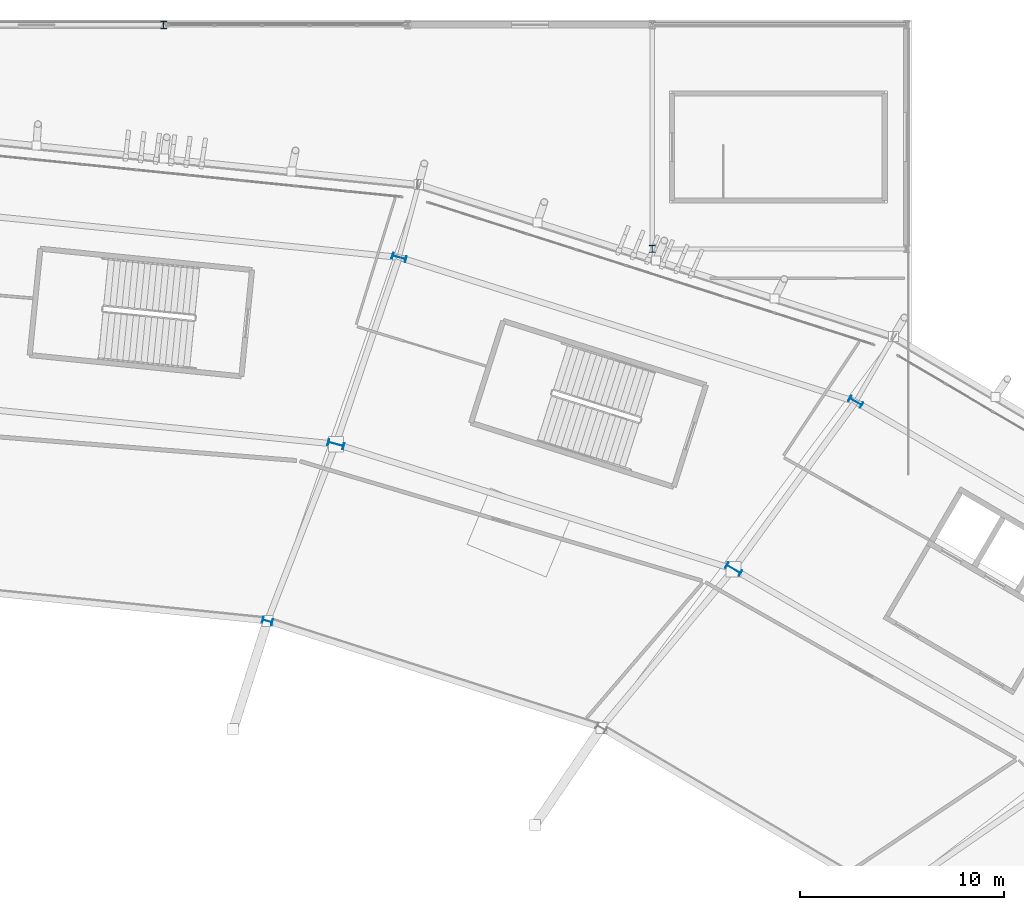
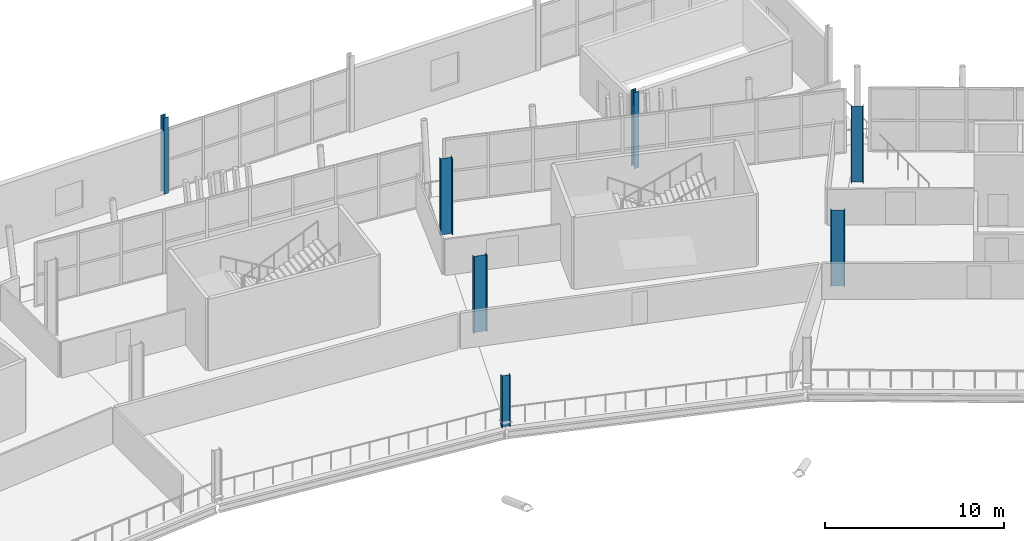
# One storey, part 18 of 168: 7 columns.
"""IFC4 building model written with IfcOpenShell, lengths in metres."""

from ifc_helpers import new_model, si_unit, direction, frame, origin, origin_2d, place, context, subcontext, project, spatial, i_section, extrude, material, material_profile, profile_set, type_object, element, save


model = new_model("IFC4")

# Units and contexts
model_context = context("Model", 3, precision=1e-05, world=origin(), true_north=direction((0.0, 1.0)))
body_context = subcontext(model_context, "Body", "Model", "MODEL_VIEW")
ifc_project = project(units=[si_unit("LENGTHUNIT", "METRE"), si_unit("AREAUNIT", "SQUARE_METRE"), si_unit("VOLUMEUNIT", "CUBIC_METRE"), si_unit("PLANEANGLEUNIT", "RADIAN"), si_unit("MASSUNIT", "GRAM", prefix="KILO")], contexts=[model_context])

# Site, building, storey
site_placement = place(None, origin())
site = spatial("IfcSite", under=ifc_project, at=site_placement, CompositionType="ELEMENT")
building_placement = place(site_placement, origin())
building = spatial("IfcBuilding", under=site, at=building_placement, Name="Zlatoyarsky Gate Stadium", CompositionType="ELEMENT")
storey_placement = place(building_placement, frame((0.0, 0.0, 15.60009765625)))
storey = spatial("IfcBuildingStorey", under=building, at=storey_placement, Name="L03", CompositionType="ELEMENT", Elevation=15.60009765625)

# Columns
ifc_material = material(Name="Steel S355", Category="steel")
ifc_material_profile_1 = material_profile(ifc_material, i_section(OverallWidth=0.300048828125, OverallDepth=0.360107421875, WebThickness=0.012451171875, FlangeThickness=0.0224609375, FilletRadius=0.027099609375, at=origin_2d()), Name="HEB 360")
ifc_profile_set_1 = profile_set([ifc_material_profile_1], Name="Steel S355")
column_type_1 = type_object("IfcColumnType", Name="STEEL COLUMN HEB 360", PredefinedType="COLUMN", material=ifc_profile_set_1)
for number, where, z_axis, x_axis, name in (
    (1, (123.5, 160.0, 0.0), (0.0, 0.0, 1.0), (1.0, 0.0, 0.0), "Column ST-C360 WG-11-Q on L03"),
    (2, (147.5, 149.0, 0.0), (0.0, 0.0, 1.0), (1.0, 0.0, 0.0), "Column ST-C360 WG-13-P on L03"),
):
    element("IfcColumn", number, at=place(storey_placement, frame(where, z_axis=z_axis, x_axis=x_axis)), inside=storey, type_object=column_type_1, Name=name, PredefinedType="COLUMN", context=body_context, shape_type="SweptSolid", body=[
        extrude(i_section(OverallWidth=0.300048828125, OverallDepth=0.360107421875, WebThickness=0.012451171875, FlangeThickness=0.0224609375, FilletRadius=0.027099609375, at=origin_2d()), origin(), (0.0, 0.0, 1.0), 5.199951171875),
    ])
ifc_material_profile_2 = material_profile(ifc_material, i_section(OverallWidth=0.300048828125, OverallDepth=0.5, WebThickness=0.014404296875, FlangeThickness=0.028076171875, FilletRadius=0.027099609375, at=origin_2d()), Name="HEB 500")
ifc_profile_set_2 = profile_set([ifc_material_profile_2], Name="Steel S355")
column_type_2 = type_object("IfcColumnType", Name="STEEL COLUMN HEB 500", PredefinedType="COLUMN", material=ifc_profile_set_2)
column_placement = place(storey_placement, frame((128.599609375, 130.711181640625, 0.0), z_axis=(0.0, 0.0, 1.0), x_axis=(0.258819045103, 0.965925826289, 0.0)))
element("IfcColumn", 3, at=column_placement, inside=storey, type_object=column_type_2, Name="Column ST-C500 RA-05 on L03", PredefinedType="COLUMN", context=body_context, shape_type="SweptSolid", body=[
    extrude(i_section(OverallWidth=0.300048828125, OverallDepth=0.5, WebThickness=0.014404296875, FlangeThickness=0.028076171875, FilletRadius=0.027099609375, at=origin_2d()), origin(), (0.0, 0.0, 1.0), 3.47998046875),
])
ifc_material_profile_3 = material_profile(ifc_material, i_section(OverallWidth=0.300048828125, OverallDepth=0.699951171875, WebThickness=0.01708984375, FlangeThickness=0.031982421875, FilletRadius=0.027099609375, at=origin_2d()), Name="HEB 700")
ifc_profile_set_3 = profile_set([ifc_material_profile_3], Name="Steel S355")
column_type_3 = type_object("IfcColumnType", Name="STEEL COLUMN HEB 700", PredefinedType="COLUMN", material=ifc_profile_set_3)
for number, where, z_axis, x_axis, name in (
    (4, (157.5, 141.48779296875, 0.0), (0.0, 0.0, 1.0), (0.5, 0.866025403784, 0.0), "Column ST-C700 RC-04 on L03"),
    (5, (135.0703125, 148.580810546875, 0.0), (0.0, 0.0, 1.0), (0.258819045103, 0.965925826289, 0.0), "Column ST-C700 RC-05 on L03"),
):
    element("IfcColumn", number, at=place(storey_placement, frame(where, z_axis=z_axis, x_axis=x_axis)), inside=storey, type_object=column_type_3, Name=name, PredefinedType="COLUMN", context=body_context, shape_type="SweptSolid", body=[
        extrude(i_section(OverallWidth=0.300048828125, OverallDepth=0.699951171875, WebThickness=0.01708984375, FlangeThickness=0.031982421875, FilletRadius=0.027099609375, at=origin_2d()), origin(), (0.0, 0.0, 1.0), 5.199951171875),
    ])
ifc_material_profile_4 = material_profile(ifc_material, i_section(OverallWidth=0.300048828125, OverallDepth=0.800048828125, WebThickness=0.017578125, FlangeThickness=0.032958984375, FilletRadius=0.030029296875, at=origin_2d()), Name="HEB 800")
ifc_profile_set_4 = profile_set([ifc_material_profile_4], Name="Steel S355")
column_type_4 = type_object("IfcColumnType", Name="STEEL COLUMN HEB 800", PredefinedType="COLUMN", material=ifc_profile_set_4)
for number, where, z_axis, x_axis, name in (
    (6, (151.5, 133.260498046875, 0.0), (0.0, 0.0, 1.0), (0.5, 0.866025403784, 0.0), "Column ST-C800 RB-04 on L03"),
    (7, (131.96435546875, 139.404296875, 0.0), (0.0, 0.0, 1.0), (0.258819045103, 0.965925826289, 0.0), "Column ST-C800 RB-05 on L03"),
):
    element("IfcColumn", number, at=place(storey_placement, frame(where, z_axis=z_axis, x_axis=x_axis)), inside=storey, type_object=column_type_4, Name=name, PredefinedType="COLUMN", context=body_context, shape_type="SweptSolid", body=[
        extrude(i_section(OverallWidth=0.300048828125, OverallDepth=0.800048828125, WebThickness=0.017578125, FlangeThickness=0.032958984375, FilletRadius=0.030029296875, at=origin_2d()), origin(), (0.0, 0.0, 1.0), 5.199951171875),
    ])

save(model, "model.ifc")
